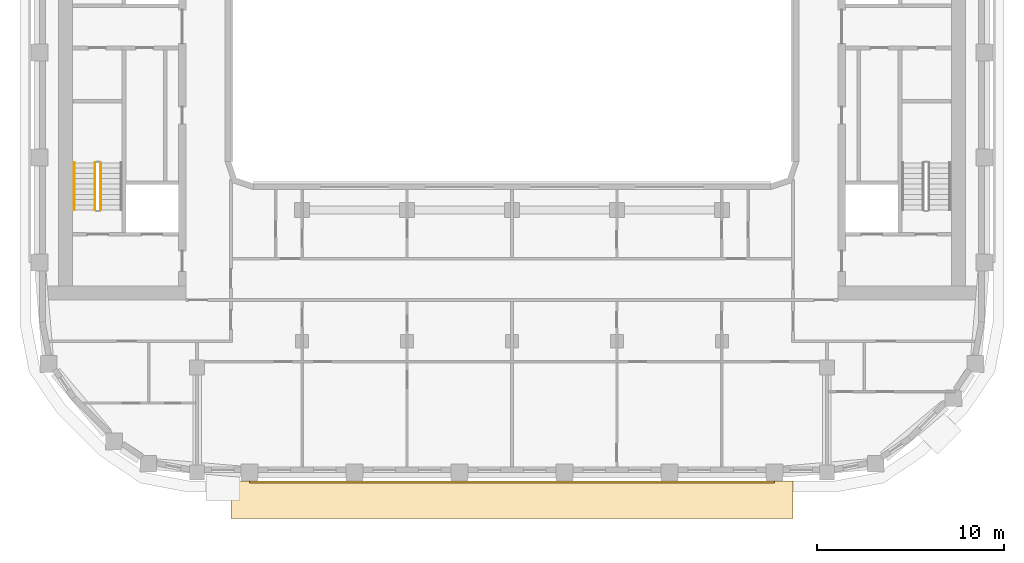
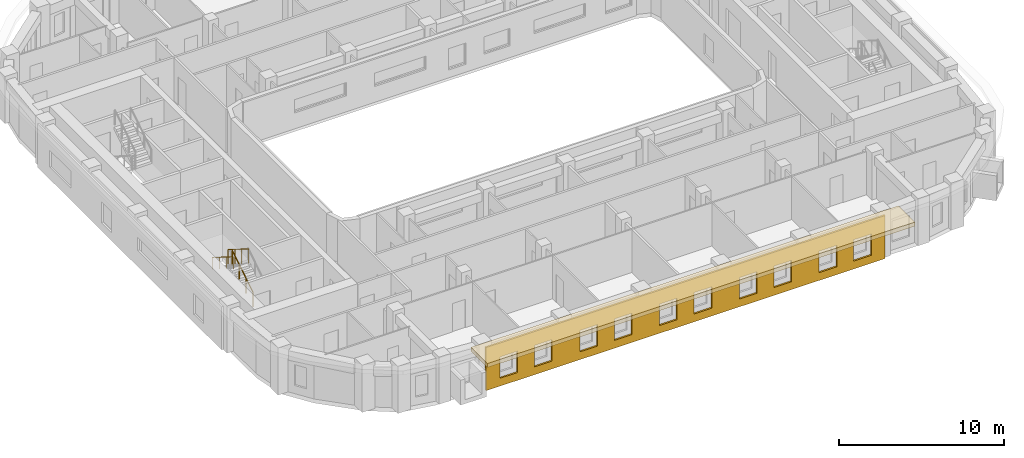
# One storey, part 11 of 21: 3 railings, 2 coverings.
"""IFC4 building model written with IfcOpenShell, lengths in metres."""

import ifcopenshell
import ifcopenshell.guid

model = None  # the IFC model being written
_history = None  # IfcOwnerHistory: only IFC2X3 demands one
_inside = {}  # id of a spatial element -> (the spatial element, [elements in it])
_under = {}  # id of a project, library or spatial element -> (it, [spatial elements below it])
_declared = {}  # id of a project -> (the project, [libraries it declares])
_typed = {}  # id of a type object -> (the type object, [elements of that type])
_made_of = {}  # id of a material, layer set ... -> (it, [elements and type objects made of it])


def new_model(schema):
    """Start an empty IFC model of exactly this schema.

    Asked for "IFC4X3", IfcOpenShell would pick the latest addendum, in which some entities
    have other attributes; the version numbers below select the first issue.
    IFC2X3 requires an IfcOwnerHistory on every rooted entity: one is made here for all.
    """
    global model, _history
    if schema == "IFC4X3":
        model = ifcopenshell.file(schema_version=(4, 3, 0, 0))
    else:
        model = ifcopenshell.file(schema=schema)
    _inside.clear()
    _under.clear()
    _declared.clear()
    _typed.clear()
    _made_of.clear()
    _history = None
    if model.schema == "IFC2X3":
        org = make("IfcOrganization", Name="unknown")
        user = make(
            "IfcPersonAndOrganization",
            ThePerson=make("IfcPerson", FamilyName="unknown"),
            TheOrganization=org,
        )
        app = make(
            "IfcApplication",
            ApplicationDeveloper=org,
            Version="unknown",
            ApplicationFullName="unknown",
            ApplicationIdentifier="unknown",
        )
        _history = make(
            "IfcOwnerHistory",
            OwningUser=user,
            OwningApplication=app,
            ChangeAction="ADDED",
            CreationDate=0,
        )
    return model


def make(cls, **values):
    """One entity of the class cls with the attributes given. An attribute that is None is left unset."""
    return model.create_entity(
        cls, **{name: value for name, value in values.items() if value is not None}
    )


def rooted(cls, **values):
    """An entity with a GlobalId (a new one), such as an element, a storey or a relation."""
    return make(cls, GlobalId=ifcopenshell.guid.new(), OwnerHistory=_history, **values)


def si_unit(unit_type, name, prefix=None):
    """IfcSIUnit, for example si_unit("LENGTHUNIT", "METRE", prefix="MILLI")."""
    return make("IfcSIUnit", UnitType=unit_type, Prefix=prefix, Name=name)


def assignment(units):
    """IfcUnitAssignment: the units of a project."""
    return None if units is None else make("IfcUnitAssignment", Units=units)


def point(xyz):
    """IfcCartesianPoint."""
    return None if xyz is None else make("IfcCartesianPoint", Coordinates=xyz)


def direction(xyz):
    """IfcDirection."""
    return None if xyz is None else make("IfcDirection", DirectionRatios=xyz)


def frame(location, z_axis=None, x_axis=None):
    """IfcAxis2Placement3D, a coordinate frame: its origin and axes. An axis left out is left unset."""
    return make(
        "IfcAxis2Placement3D",
        Location=point(location),
        Axis=direction(z_axis),
        RefDirection=direction(x_axis),
    )


def frame_2d(location, x_axis=None):
    """IfcAxis2Placement2D, a coordinate frame in the plane: its origin and x axis."""
    return make(
        "IfcAxis2Placement2D", Location=point(location), RefDirection=direction(x_axis)
    )


def origin():
    """The frame at (0, 0, 0) with its axes left unset."""
    return frame((0.0, 0.0, 0.0))


def origin_2d():
    """The frame at (0, 0) in the plane with its x axis left unset."""
    return frame_2d((0.0, 0.0))


def place(relative_to, where):
    """IfcLocalPlacement: puts the frame where relative to a parent placement (None: the world)."""
    return make(
        "IfcLocalPlacement", PlacementRelTo=relative_to, RelativePlacement=where
    )


def context(
    kind, dimensions, precision=None, world=None, true_north=None, identifier=None
):
    """IfcGeometricRepresentationContext, for example the 3D "Model" context."""
    return make(
        "IfcGeometricRepresentationContext",
        ContextIdentifier=identifier,
        ContextType=kind,
        CoordinateSpaceDimension=dimensions,
        Precision=precision,
        WorldCoordinateSystem=world,
        TrueNorth=true_north,
    )


def subcontext(parent, identifier, kind, view, scale=None):
    """IfcGeometricRepresentationSubContext, for example "Body" below "Model"."""
    return make(
        "IfcGeometricRepresentationSubContext",
        ContextIdentifier=identifier,
        ContextType=kind,
        ParentContext=parent,
        TargetScale=scale,
        TargetView=view,
    )


def project(units=None, contexts=None):
    """IfcProject with its units and contexts."""
    return rooted(
        "IfcProject",
        Name="project",
        RepresentationContexts=contexts,
        UnitsInContext=assignment(units),
    )


def spatial(cls, under=None, at=None, **own):
    """A site, building, storey or space (cls), placed at a placement, below another one or the project."""
    s = rooted(cls, ObjectPlacement=at, **own)
    if under is not None:
        _under.setdefault(under.id(), (under, []))[1].append(s)
    return s


def polyline(points):
    """IfcPolyline through the points."""
    return make("IfcPolyline", Points=[point(p) for p in points])


def profile(cls, at=None, kind="AREA", **sizes):
    """A parametric profile (cls). Its sizes go by their IFC names, for example OverallWidth=200.0."""
    return make(cls, ProfileType=kind, Position=at, **sizes)


def circle(**sizes):
    """IfcCircleProfileDef."""
    return profile("IfcCircleProfileDef", **sizes)


def outline(outer, holes=None, kind="AREA"):
    """IfcArbitraryClosedProfileDef: a profile drawn as a closed curve; with holes, ...WithVoids."""
    if holes is None:
        return make("IfcArbitraryClosedProfileDef", ProfileType=kind, OuterCurve=outer)
    return make(
        "IfcArbitraryProfileDefWithVoids",
        ProfileType=kind,
        OuterCurve=outer,
        InnerCurves=holes,
    )


def extrude(swept, where, along, depth):
    """IfcExtrudedAreaSolid: the profile swept, set in the frame where, extruded along a direction by depth."""
    return make(
        "IfcExtrudedAreaSolid",
        SweptArea=swept,
        Position=where,
        ExtrudedDirection=direction(along),
        Depth=depth,
    )


def shape(context_of_items, identifier, shape_type, items):
    """IfcShapeRepresentation: the items that make up one representation, for example the "Body"."""
    return make(
        "IfcShapeRepresentation",
        ContextOfItems=context_of_items,
        RepresentationIdentifier=identifier,
        RepresentationType=shape_type,
        Items=items,
    )


def material(Name=None, Category=None):
    """IfcMaterial."""
    return make("IfcMaterial", Name=Name, Category=Category)


def layer(
    of_material, thickness, ventilated=None, Name=None, Category=None, Priority=None
):
    """IfcMaterialLayer: one layer of a wall or slab, of a material (None: an air gap)."""
    return make(
        "IfcMaterialLayer",
        Material=of_material,
        LayerThickness=thickness,
        IsVentilated=ventilated,
        Name=Name,
        Category=Category,
        Priority=Priority,
    )


def layer_set(layers, Name=None):
    """IfcMaterialLayerSet."""
    return make("IfcMaterialLayerSet", MaterialLayers=layers, LayerSetName=Name)


def made_of(thing, what):
    """Note that an element or type object is made of a material, layer set ...; save() writes the relation."""
    if what is not None:
        _made_of.setdefault(what.id(), (what, []))[1].append(thing)
    return thing


def type_object(cls, material=None, **own):
    """A type object (cls), such as IfcWallType, which elements share."""
    return made_of(rooted(cls, **own), material)


def element(
    cls,
    number,
    at=None,
    inside=None,
    cuts=None,
    type_object=None,
    material=None,
    context=None,
    identifier="Body",
    shape_type=None,
    held_by="IfcProductDefinitionShape",
    body=None,
    shapes=None,
    **own,
):
    """One element of the class cls, such as IfcWall. Its Tag is "e" and its number.

    at: its placement. inside: the storey or other place that contains it. cuts: it is an
    opening in that element (IfcRelVoidsElement). A single representation is given by context,
    identifier, shape_type and body (its items); several are given by shapes. held_by: the class
    of the entity that holds the representations. save() writes the other relations.
    """
    e = rooted(cls, Tag="e%d" % number, ObjectPlacement=at, **own)
    if body is not None:
        shapes = [shape(context, identifier, shape_type, body)]
    if shapes is not None:
        e.Representation = make(held_by, Representations=shapes)
    if inside is not None:
        _inside.setdefault(inside.id(), (inside, []))[1].append(e)
    if cuts is not None:
        rooted(
            "IfcRelVoidsElement", RelatingBuildingElement=cuts, RelatedOpeningElement=e
        )
    if type_object is not None:
        _typed.setdefault(type_object.id(), (type_object, []))[1].append(e)
    return made_of(e, material)


def aggregate(whole, parts):
    """IfcRelAggregates: a whole, such as a stair, and the parts it consists of."""
    return rooted("IfcRelAggregates", RelatingObject=whole, RelatedObjects=parts)


def save(model, path):
    """Write the relations noted so far, then the file.

    IfcRelAggregates (storeys below a building ...), IfcRelContainedInSpatialStructure (elements
    in a storey), IfcRelDefinesByType, IfcRelAssociatesMaterial and IfcRelDeclares: one each for
    every whole, place, type object, material and project.
    """
    for whole, parts in _under.values():
        aggregate(whole, parts)
    for where, things in _inside.values():
        rooted(
            "IfcRelContainedInSpatialStructure",
            RelatedElements=things,
            RelatingStructure=where,
        )
    for kind, things in _typed.values():
        rooted("IfcRelDefinesByType", RelatedObjects=things, RelatingType=kind)
    for what, things in _made_of.values():
        rooted("IfcRelAssociatesMaterial", RelatedObjects=things, RelatingMaterial=what)
    for by, libraries in _declared.values():
        rooted("IfcRelDeclares", RelatingContext=by, RelatedDefinitions=libraries)
    model.write(path)


model = new_model("IFC4")

# Units and contexts
model_context = context("Model", 3, precision=1e-05, world=origin(), true_north=direction((0.0, 1.0)))
body_context = subcontext(model_context, "Body", "Model", "MODEL_VIEW")
ifc_project = project(units=[si_unit("LENGTHUNIT", "METRE"), si_unit("AREAUNIT", "SQUARE_METRE"), si_unit("VOLUMEUNIT", "CUBIC_METRE"), si_unit("PLANEANGLEUNIT", "RADIAN"), si_unit("MASSUNIT", "GRAM", prefix="KILO")], contexts=[model_context])

# Site, building, storey
site_placement = place(None, origin())
site = spatial("IfcSite", under=ifc_project, at=site_placement, CompositionType="ELEMENT")
building_placement = place(site_placement, origin())
building = spatial("IfcBuilding", under=site, at=building_placement, Name="Kiln Ring Residences", CompositionType="ELEMENT")
storey_placement = place(building_placement, frame((0.0, 0.0, 202.89990234375)))
storey = spatial("IfcBuildingStorey", under=building, at=storey_placement, Name="L52", CompositionType="ELEMENT", Elevation=202.89990234375)

# Railings
ifc_material_1 = material(Name="Stainless steel", Category="steel")
railing_type_1 = type_object("IfcRailingType", Name="CORE-STAIR-GUARD", PredefinedType="GUARDRAIL", material=ifc_material_1)
railing_1_placement = place(storey_placement, frame((-21.949951171875, -8.39990234375, 0.175048828125)))
element("IfcRailing", 1, at=railing_1_placement, inside=storey, type_object=railing_type_1, Name="L52 W-STS stair guard 1", PredefinedType="GUARDRAIL", context=body_context, shape_type="SweptSolid", body=[
    extrude(circle(Radius=0.02392578125, at=origin_2d()), frame((0.0, 0.0, 1.076171875), z_axis=(0.0, 0.848007534815, 0.529984170421), x_axis=(-1.0, 0.0, 0.0)), (0.0, 0.0, 1.0), 2.9716796875),
    extrude(circle(Radius=0.02099609375, at=origin_2d()), origin(), (0.0, 0.0, 1.0), 1.052001953125),
    extrude(circle(Radius=0.02099609375, at=origin_2d()), frame((0.0, 0.840087890625, 0.52490234375)), (0.0, 0.0, 1.0), 1.052001953125),
    extrude(circle(Radius=0.02099609375, at=origin_2d()), frame((0.0, 1.679931640625, 1.050048828125)), (0.0, 0.0, 1.0), 1.052001953125),
    extrude(circle(Radius=0.02099609375, at=origin_2d()), frame((0.0, 2.52001953125, 1.574951171875)), (0.0, 0.0, 1.0), 1.052001953125),
])
railing_2_placement = place(storey_placement, frame((-22.25, -5.8798828125, 1.925048828125)))
element("IfcRailing", 2, at=railing_2_placement, inside=storey, type_object=railing_type_1, Name="L52 W-STS stair guard 3", PredefinedType="GUARDRAIL", context=body_context, shape_type="SweptSolid", body=[
    extrude(circle(Radius=0.02392578125, at=origin_2d()), frame((0.0, 0.0, 1.076171875), z_axis=(0.0, -0.848007534815, 0.529984170421), x_axis=(1.0, 0.0, 0.0)), (0.0, 0.0, 1.0), 2.9716796875),
    extrude(circle(Radius=0.02099609375, at=origin_2d()), origin(), (0.0, 0.0, 1.0), 1.052001953125),
    extrude(circle(Radius=0.02099609375, at=origin_2d()), frame((0.0, -0.840087890625, 0.52490234375)), (0.0, 0.0, 1.0), 1.052001953125),
    extrude(circle(Radius=0.02099609375, at=origin_2d()), frame((0.0, -1.679931640625, 1.050048828125)), (0.0, 0.0, 1.0), 1.052001953125),
    extrude(circle(Radius=0.02099609375, at=origin_2d()), frame((0.0, -2.52001953125, 1.574951171875)), (0.0, 0.0, 1.0), 1.052001953125),
])
ifc_material_2 = material(Name="Stainless steel", Category="steel")
railing_type_2 = type_object("IfcRailingType", Name="CORE-STAIR-HANDRAIL", PredefinedType="HANDRAIL", material=ifc_material_2)
railing_3_placement = place(storey_placement, frame((-23.35009765625, -5.8798828125, 1.925048828125)))
element("IfcRailing", 3, at=railing_3_placement, inside=storey, type_object=railing_type_2, Name="L52 W-STS stair handrail 2", PredefinedType="HANDRAIL", context=body_context, shape_type="SweptSolid", body=[
    extrude(circle(Radius=0.02392578125, at=origin_2d()), frame((0.0, 0.0, 0.8759765625), z_axis=(0.0, -0.848007534815, 0.529984170421), x_axis=(1.0, 0.0, 0.0)), (0.0, 0.0, 1.0), 2.9716796875),
    extrude(circle(Radius=0.02099609375, at=origin_2d()), origin(), (0.0, 0.0, 1.0), 0.851806640625),
    extrude(circle(Radius=0.02099609375, at=origin_2d()), frame((0.0, -0.840087890625, 0.52490234375)), (0.0, 0.0, 1.0), 0.851806640625),
    extrude(circle(Radius=0.02099609375, at=origin_2d()), frame((0.0, -1.679931640625, 1.050048828125)), (0.0, 0.0, 1.0), 0.851806640625),
    extrude(circle(Radius=0.02099609375, at=origin_2d()), frame((0.0, -2.52001953125, 1.574951171875)), (0.0, 0.0, 1.0), 0.851806640625),
])

# Coverings
ifc_material_3 = material(Name="Brick masonry, dark clay brick", Category="masonry")
ifc_layer_1 = layer(ifc_material_3, 0.1201171875)
ifc_layer_set_1 = layer_set([ifc_layer_1], Name="RAINSCREEN PANEL 120")
covering_type_1 = type_object("IfcCoveringType", Name="RAINSCREEN PANEL 120", PredefinedType="CLADDING", material=ifc_layer_set_1)
covering_1_placement = place(storey_placement, frame((-14.0, -22.909912109375, 0.0), z_axis=(0.0, 0.0, 1.0), x_axis=(1.0, 0.0, 0.0)))
element("IfcCovering", 4, at=covering_1_placement, inside=storey, type_object=covering_type_1, Name="RAINSCREEN L52", PredefinedType="CLADDING", context=body_context, shape_type="SweptSolid", body=[
    extrude(outline(polyline([(0.0, 0.0), (28.0, 0.0), (28.0, 3.2001953125), (0.0, 3.2001953125), (0.0, 0.0)]), holes=[polyline([(0.967529296875, 0.580078125), (2.20751953125, 0.580078125), (2.20751953125, 2.170166015625), (0.967529296875, 2.170166015625), (0.967529296875, 0.580078125)]), polyline([(3.392578125, 0.580078125), (4.632568359375, 0.580078125), (4.632568359375, 2.170166015625), (3.392578125, 2.170166015625), (3.392578125, 0.580078125)]), polyline([(6.5673828125, 0.580078125), (7.8076171875, 0.580078125), (7.8076171875, 2.170166015625), (6.5673828125, 2.170166015625), (6.5673828125, 0.580078125)]), polyline([(8.992431640625, 2.170166015625), (8.992431640625, 0.580078125), (10.232421875, 0.580078125), (10.232421875, 2.170166015625), (8.992431640625, 2.170166015625)]), polyline([(12.16748046875, 2.170166015625), (12.16748046875, 0.580078125), (13.407470703125, 0.580078125), (13.407470703125, 2.170166015625), (12.16748046875, 2.170166015625)]), polyline([(14.592529296875, 0.580078125), (15.83251953125, 0.580078125), (15.83251953125, 2.170166015625), (14.592529296875, 2.170166015625), (14.592529296875, 0.580078125)]), polyline([(17.767578125, 0.580078125), (19.007568359375, 0.580078125), (19.007568359375, 2.170166015625), (17.767578125, 2.170166015625), (17.767578125, 0.580078125)]), polyline([(20.1923828125, 0.580078125), (21.4326171875, 0.580078125), (21.4326171875, 2.170166015625), (20.1923828125, 2.170166015625), (20.1923828125, 0.580078125)]), polyline([(23.367431640625, 2.170166015625), (23.367431640625, 0.580078125), (24.607421875, 0.580078125), (24.607421875, 2.170166015625), (23.367431640625, 2.170166015625)]), polyline([(25.79248046875, 2.170166015625), (25.79248046875, 0.580078125), (27.032470703125, 0.580078125), (27.032470703125, 2.170166015625), (25.79248046875, 2.170166015625)])]), frame((0.0, 0.06005859375, 0.0), z_axis=(0.0, -1.0, 0.0), x_axis=(1.0, 0.0, 0.0)), (0.0, 0.0, 1.0), 0.1201171875),
])
ifc_material_4 = material(Name="Black powder-coated steel", Category="steel")
ifc_layer_2 = layer(ifc_material_4, 0.300048828125)
ifc_layer_set_2 = layer_set([ifc_layer_2], Name="SUNSHADE BAND 2000")
covering_type_2 = type_object("IfcCoveringType", Name="SUNSHADE BAND 2000", PredefinedType="CLADDING", material=ifc_layer_set_2)
covering_2_placement = place(storey_placement, frame((0.0, 0.0, 3.2001953125)))
element("IfcCovering", 5, at=covering_2_placement, inside=storey, type_object=covering_type_2, Name="SUNSHADE BAND L52", PredefinedType="CLADDING", context=body_context, shape_type="SweptSolid", body=[
    extrude(outline(polyline([(-15.0, -24.85009765625), (15.0, -24.85009765625), (15.0, -22.85009765625), (-15.0, -22.85009765625), (-15.0, -24.85009765625)])), origin(), (0.0, 0.0, 1.0), 0.2998046875),
])

save(model, "model.ifc")
